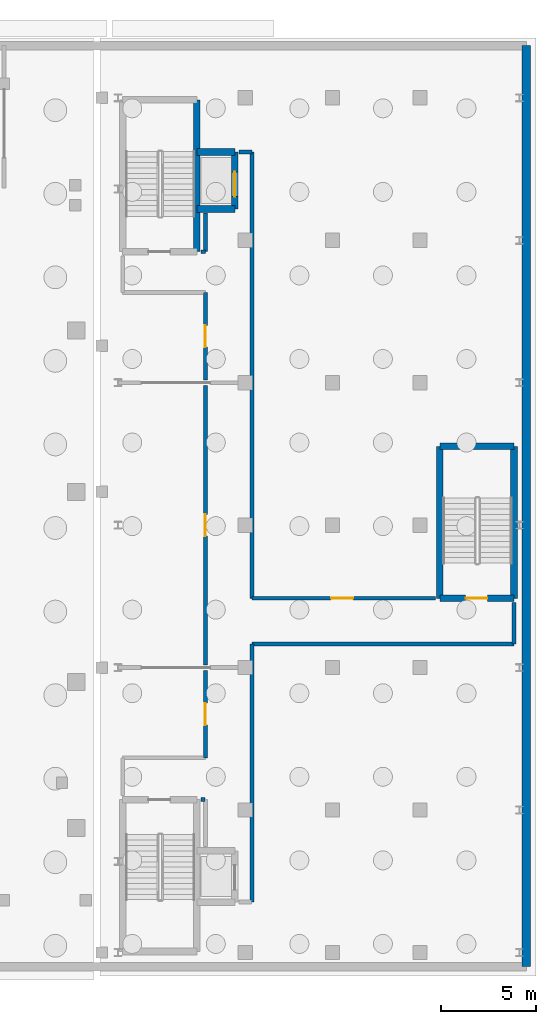
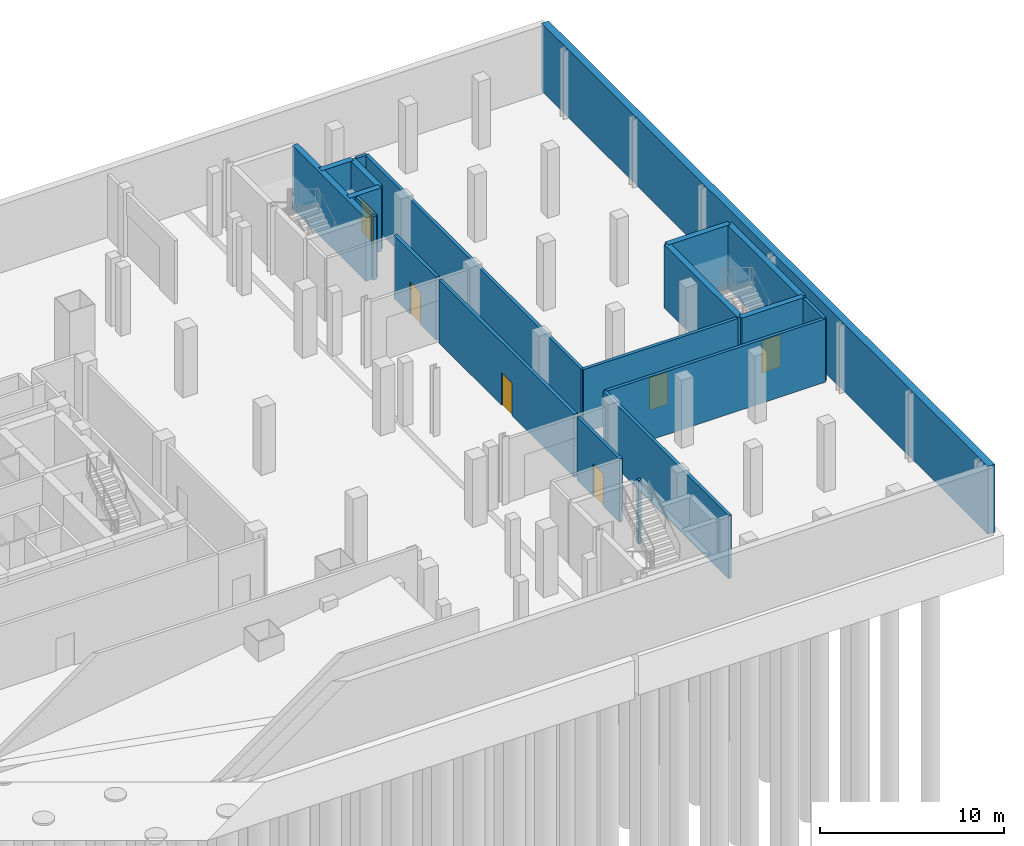
# One storey, part 11 of 15: 21 walls, 6 doors, 6 openings.
"""IFC4 building model written with IfcOpenShell, lengths in metres."""

from ifc_helpers import new_model, si_unit, direction, frame, frame_2d, origin, place, context, subcontext, project, spatial, rectangle, extrude, material, layer, layer_set, type_object, element, fill, save


model = new_model("IFC4")

# Units and contexts
model_context = context("Model", 3, precision=1e-05, world=origin(), true_north=direction((0.0, 1.0)))
body_context = subcontext(model_context, "Body", "Model", "MODEL_VIEW")
ifc_project = project(units=[si_unit("LENGTHUNIT", "METRE"), si_unit("AREAUNIT", "SQUARE_METRE"), si_unit("VOLUMEUNIT", "CUBIC_METRE"), si_unit("PLANEANGLEUNIT", "RADIAN"), si_unit("MASSUNIT", "GRAM", prefix="KILO")], contexts=[model_context])

# Site, building, storey
site_placement = place(None, origin())
site = spatial("IfcSite", under=ifc_project, at=site_placement, CompositionType="ELEMENT")
building_placement = place(site_placement, origin())
building = spatial("IfcBuilding", under=site, at=building_placement, Name="Mersakhor Tower and Convention Hall", CompositionType="ELEMENT")
storey_placement = place(building_placement, frame((0.0, 0.0, -9.0)))
storey = spatial("IfcBuildingStorey", under=building, at=storey_placement, Name="B02", CompositionType="ELEMENT", Elevation=-9.0)

# Walls
ifc_material_1 = material(Name="Acoustic concrete blockwork and gypsum board", Category="masonry")
ifc_layer_1 = layer(ifc_material_1, 0.199951171875)
ifc_layer_set_1 = layer_set([ifc_layer_1], Name="Acoustic concrete blockwork and gypsum board")
wall_type_1 = type_object("IfcWallType", Name="WL-PRT-200", PredefinedType="PARTITIONING", material=ifc_layer_set_1)
wall_1_placement = place(storey_placement, frame((59.875, 40.14990234375, 0.0), z_axis=(0.0, 0.0, 1.0), x_axis=(1.0, 0.0, 0.0)))
element("IfcWall", 1, at=wall_1_placement, inside=storey, type_object=wall_type_1, Name="B02 Interior Partition Wall P-037", PredefinedType="PARTITIONING", context=body_context, shape_type="SweptSolid", body=[
    extrude(rectangle(XDim=0.22509765625, YDim=0.199951171875, at=frame_2d((0.112548828125, 0.0))), origin(), (0.0, 0.0, 1.0), 4.199951171875),
])
wall_2_placement = place(storey_placement, frame((60.10009765625, 40.14990234375, 0.0), z_axis=(0.0, 0.0, 1.0), x_axis=(0.0, 1.0, 0.0)))
element("IfcWall", 2, at=wall_2_placement, inside=storey, type_object=wall_type_1, Name="B02 Interior Partition Wall P-038", PredefinedType="PARTITIONING", context=body_context, shape_type="SweptSolid", body=[
    extrude(rectangle(XDim=2.025146484375, YDim=0.199951171875, at=frame_2d((1.0126953125, 0.0))), origin(), (0.0, 0.0, 1.0), 4.199951171875),
])
wall_3_placement = place(storey_placement, frame((61.875, 45.39990234375, 0.0), z_axis=(0.0, 0.0, 1.0), x_axis=(1.0, 0.0, 0.0)))
element("IfcWall", 3, at=wall_3_placement, inside=storey, type_object=wall_type_1, Name="B02 Interior Partition Wall P-039", PredefinedType="PARTITIONING", context=body_context, shape_type="SweptSolid", body=[
    extrude(rectangle(XDim=0.675048828125, YDim=0.199951171875, at=frame_2d((0.33740234375, 0.0))), origin(), (0.0, 0.0, 1.0), 4.199951171875),
])
wall_4_placement = place(storey_placement, frame((62.550048828125, 45.39990234375, 0.0), z_axis=(0.0, 0.0, 1.0), x_axis=(0.0, -1.0, 0.0)))
element("IfcWall", 4, at=wall_4_placement, inside=storey, type_object=wall_type_1, Name="B02 Interior Partition Wall P-040", PredefinedType="PARTITIONING", context=body_context, shape_type="SweptSolid", body=[
    extrude(rectangle(XDim=23.5, YDim=0.199951171875, at=frame_2d((11.75, 0.0))), origin(), (0.0, 0.0, 1.0), 4.199951171875),
])

# Wall, opening, door
wall_5_placement = place(storey_placement, frame((62.550048828125, 21.89990234375, 0.0), z_axis=(0.0, 0.0, 1.0), x_axis=(1.0, 0.0, 0.0)))
wall_5 = element("IfcWall", 5, at=wall_5_placement, inside=storey, type_object=wall_type_1, Name="B02 Interior Partition Wall P-041", PredefinedType="PARTITIONING", context=body_context, shape_type="SweptSolid", body=[
    extrude(rectangle(XDim=9.675048828125, YDim=0.199951171875, at=frame_2d((4.83740234375, 0.0))), origin(), (0.0, 0.0, 1.0), 4.199951171875),
])
opening_1_placement = place(wall_5_placement, frame((4.175048828125, 0.0, 0.0)))
opening_1 = element("IfcOpeningElement", 6, at=opening_1_placement, cuts=wall_5, Name="Opening SD-01", PredefinedType="OPENING", context=body_context, shape_type="SweptSolid", body=[
    extrude(rectangle(XDim=1.14990234375, YDim=2.14990234375, at=frame_2d((0.574951171875, 1.074951171875))), frame((0.0, 0.10986328125, 0.0), z_axis=(0.0, -1.0, 0.0), x_axis=(1.0, 0.0, 0.0)), (0.0, 0.0, 1.0), 0.219970703125),
])
ifc_material_2 = material(Name="Fire-rated hardwood leaf and painted steel frame", Category="steel")
door_type_1 = type_object("IfcDoorType", Name="DR-INT-STAIR-115x215", OperationType="NOTDEFINED", PredefinedType="DOOR", material=ifc_material_2)
door_1_placement = place(opening_1_placement, origin())
door_1 = element("IfcDoor", 7, at=door_1_placement, inside=storey, type_object=door_type_1, Name="B02 Convention Basement Lift and Stair Lobby to Convention Car Parking Bays (22 Bays) Door", OperationType="SINGLE_SWING_RIGHT", OverallHeight=2.14990234375, OverallWidth=1.14990234375, PredefinedType="DOOR", context=body_context, shape_type="SweptSolid", body=[
    extrude(rectangle(XDim=1.14990234375, YDim=2.14990234375, at=frame_2d((0.574951171875, 1.074951171875))), frame((0.0, 0.02490234375, 0.0), z_axis=(0.0, -1.0, 0.0), x_axis=(1.0, 0.0, 0.0)), (0.0, 0.0, 1.0), 0.050048828125),
])
fill(opening_1, door_1)

# Walls
wall_6_placement = place(storey_placement, frame((76.35009765625, 21.675048828125, 0.0), z_axis=(0.0, 0.0, 1.0), x_axis=(0.0, -1.0, 0.0)))
element("IfcWall", 8, at=wall_6_placement, inside=storey, type_object=wall_type_1, Name="B02 Interior Partition Wall P-042", PredefinedType="PARTITIONING", context=body_context, shape_type="SweptSolid", body=[
    extrude(rectangle(XDim=2.175048828125, YDim=0.199951171875, at=frame_2d((1.08740234375, 0.0))), origin(), (0.0, 0.0, 1.0), 4.199951171875),
])
wall_7_placement = place(storey_placement, frame((76.35009765625, 19.5, 0.0), z_axis=(0.0, 0.0, 1.0), x_axis=(-1.0, 0.0, 0.0)))
element("IfcWall", 9, at=wall_7_placement, inside=storey, type_object=wall_type_1, Name="B02 Interior Partition Wall P-043", PredefinedType="PARTITIONING", context=body_context, shape_type="SweptSolid", body=[
    extrude(rectangle(XDim=13.800048828125, YDim=0.199951171875, at=frame_2d((6.89990234375, 0.0))), origin(), (0.0, 0.0, 1.0), 4.199951171875),
])
wall_8_placement = place(storey_placement, frame((62.550048828125, 19.5, 0.0), z_axis=(0.0, 0.0, 1.0), x_axis=(0.0, -1.0, 0.0)))
element("IfcWall", 10, at=wall_8_placement, inside=storey, type_object=wall_type_1, Name="B02 Interior Partition Wall P-044", PredefinedType="PARTITIONING", context=body_context, shape_type="SweptSolid", body=[
    extrude(rectangle(XDim=13.60009765625, YDim=0.199951171875, at=frame_2d((6.800048828125, 0.0))), origin(), (0.0, 0.0, 1.0), 4.199951171875),
])
wall_9_placement = place(storey_placement, frame((60.070068359375, 11.300048828125, 0.0), z_axis=(0.0, 0.0, 1.0), x_axis=(-1.0, 0.0, 0.0)))
element("IfcWall", 11, at=wall_9_placement, inside=storey, type_object=wall_type_1, Name="B02 Interior Partition Wall P-047", PredefinedType="PARTITIONING", context=body_context, shape_type="SweptSolid", body=[
    extrude(rectangle(XDim=0.195068359375, YDim=0.199951171875, at=frame_2d((0.09765625, 0.0))), origin(), (0.0, 0.0, 1.0), 4.199951171875),
])

# Wall, opening, door
wall_10_placement = place(storey_placement, frame((60.10009765625, 13.5, 0.0), z_axis=(0.0, 0.0, 1.0), x_axis=(0.0, 1.0, 0.0)))
wall_10 = element("IfcWall", 12, at=wall_10_placement, inside=storey, type_object=wall_type_1, Name="B02 Interior Partition Wall P-050", PredefinedType="PARTITIONING", context=body_context, shape_type="SweptSolid", body=[
    extrude(rectangle(XDim=4.60009765625, YDim=0.199951171875, at=frame_2d((2.300048828125, 0.0))), origin(), (0.0, 0.0, 1.0), 4.199951171875),
])
opening_2_placement = place(wall_10_placement, frame((1.72509765625, 0.0, 0.0)))
opening_2 = element("IfcOpeningElement", 13, at=opening_2_placement, cuts=wall_10, Name="Opening SD-01", PredefinedType="OPENING", context=body_context, shape_type="SweptSolid", body=[
    extrude(rectangle(XDim=1.14990234375, YDim=2.14990234375, at=frame_2d((0.574951171875, 1.074951171875))), frame((0.0, 0.10986328125, 0.0), z_axis=(0.0, -1.0, 0.0), x_axis=(1.0, 0.0, 0.0)), (0.0, 0.0, 1.0), 0.219970703125),
])
door_2_placement = place(opening_2_placement, origin())
door_2 = element("IfcDoor", 14, at=door_2_placement, inside=storey, type_object=door_type_1, Name="B02 Convention Basement Lift and Stair Lobby to Two-Way Basement Drive Aisle AISLE-CNV-S Door", OperationType="SINGLE_SWING_LEFT", OverallHeight=2.14990234375, OverallWidth=1.14990234375, PredefinedType="DOOR", context=body_context, shape_type="SweptSolid", body=[
    extrude(rectangle(XDim=1.14990234375, YDim=2.14990234375, at=frame_2d((0.574951171875, 1.074951171875))), frame((0.0, 0.02490234375, 0.0), z_axis=(0.0, -1.0, 0.0), x_axis=(1.0, 0.0, 0.0)), (0.0, 0.0, 1.0), 0.050048828125),
])
fill(opening_2, door_2)

wall_11_placement = place(storey_placement, frame((60.10009765625, 18.39990234375, 0.0), z_axis=(0.0, 0.0, 1.0), x_axis=(0.0, 1.0, 0.0)))
wall_11 = element("IfcWall", 15, at=wall_11_placement, inside=storey, type_object=wall_type_1, Name="B02 Interior Partition Wall P-051", PredefinedType="PARTITIONING", context=body_context, shape_type="SweptSolid", body=[
    extrude(rectangle(XDim=14.7001953125, YDim=0.199951171875, at=frame_2d((7.35009765625, 0.0))), origin(), (0.0, 0.0, 1.0), 4.199951171875),
])
opening_3_placement = place(wall_11_placement, frame((6.77490234375, 0.0, 0.0)))
opening_3 = element("IfcOpeningElement", 16, at=opening_3_placement, cuts=wall_11, Name="Opening SD-01", PredefinedType="OPENING", context=body_context, shape_type="SweptSolid", body=[
    extrude(rectangle(XDim=1.14990234375, YDim=2.14990234375, at=frame_2d((0.574951171875, 1.074951171875))), frame((0.0, 0.10986328125, 0.0), z_axis=(0.0, -1.0, 0.0), x_axis=(1.0, 0.0, 0.0)), (0.0, 0.0, 1.0), 0.219970703125),
])
door_3_placement = place(opening_3_placement, origin())
door_3 = element("IfcDoor", 17, at=door_3_placement, inside=storey, type_object=door_type_1, Name="B02 Convention Basement Lift and Stair Lobby to Two-Way Basement Drive Aisle AISLE-CNV-M Door", OperationType="SINGLE_SWING_RIGHT", OverallHeight=2.14990234375, OverallWidth=1.14990234375, PredefinedType="DOOR", context=body_context, shape_type="SweptSolid", body=[
    extrude(rectangle(XDim=1.14990234375, YDim=2.14990234375, at=frame_2d((0.574951171875, 1.074951171875))), frame((0.0, 0.02490234375, 0.0), z_axis=(0.0, -1.0, 0.0), x_axis=(1.0, 0.0, 0.0)), (0.0, 0.0, 1.0), 0.050048828125),
])
fill(opening_3, door_3)

wall_12_placement = place(storey_placement, frame((60.10009765625, 33.39990234375, 0.0), z_axis=(0.0, 0.0, 1.0), x_axis=(0.0, 1.0, 0.0)))
wall_12 = element("IfcWall", 18, at=wall_12_placement, inside=storey, type_object=wall_type_1, Name="B02 Interior Partition Wall P-052", PredefinedType="PARTITIONING", context=body_context, shape_type="SweptSolid", body=[
    extrude(rectangle(XDim=4.60009765625, YDim=0.199951171875, at=frame_2d((2.300048828125, 0.0))), origin(), (0.0, 0.0, 1.0), 4.199951171875),
])
opening_4_placement = place(wall_12_placement, frame((1.72509765625, 0.0, 0.0)))
opening_4 = element("IfcOpeningElement", 19, at=opening_4_placement, cuts=wall_12, Name="Opening SD-01", PredefinedType="OPENING", context=body_context, shape_type="SweptSolid", body=[
    extrude(rectangle(XDim=1.14990234375, YDim=2.14990234375, at=frame_2d((0.574951171875, 1.074951171875))), frame((0.0, 0.10986328125, 0.0), z_axis=(0.0, -1.0, 0.0), x_axis=(1.0, 0.0, 0.0)), (0.0, 0.0, 1.0), 0.219970703125),
])
door_4_placement = place(opening_4_placement, origin())
door_4 = element("IfcDoor", 20, at=door_4_placement, inside=storey, type_object=door_type_1, Name="B02 Convention Basement Lift and Stair Lobby to Two-Way Basement Drive Aisle AISLE-CNV-N Door", OperationType="SINGLE_SWING_LEFT", OverallHeight=2.14990234375, OverallWidth=1.14990234375, PredefinedType="DOOR", context=body_context, shape_type="SweptSolid", body=[
    extrude(rectangle(XDim=1.14990234375, YDim=2.14990234375, at=frame_2d((0.574951171875, 1.074951171875))), frame((0.0, 0.02490234375, 0.0), z_axis=(0.0, -1.0, 0.0), x_axis=(1.0, 0.0, 0.0)), (0.0, 0.0, 1.0), 0.050048828125),
])
fill(opening_4, door_4)

# Wall
ifc_material_3 = material(Name="Concrete C45/55", Category="concrete")
ifc_layer_2 = layer(ifc_material_3, 0.449951171875)
ifc_layer_set_2 = layer_set([ifc_layer_2], Name="Concrete C45/55")
wall_type_2 = type_object("IfcWallType", Name="WL-RET-450", PredefinedType="USERDEFINED", material=ifc_layer_set_2)
wall_13_placement = place(storey_placement, frame((77.0, 2.5, 0.0), z_axis=(0.0, 0.0, 1.0), x_axis=(0.0, 1.0, 0.0)))
element("IfcWall", 21, at=wall_13_placement, inside=storey, type_object=wall_type_2, Name="B02 Perimeter Retaining Wall E", ObjectType="RETAININGWALL", PredefinedType="USERDEFINED", context=body_context, shape_type="SweptSolid", body=[
    extrude(rectangle(XDim=48.5, YDim=0.449951171875, at=frame_2d((24.25, 0.0))), origin(), (0.0, 0.0, 1.0), 4.5),
])

# Wall, opening, door
ifc_material_4 = material(Name="Concrete C50/60", Category="concrete")
ifc_layer_3 = layer(ifc_material_4, 0.35009765625)
ifc_layer_set_3 = layer_set([ifc_layer_3], Name="Concrete C50/60")
wall_type_3 = type_object("IfcWallType", Name="WL-SHR-350", PredefinedType="SHEAR", material=ifc_layer_set_3)
wall_14_placement = place(storey_placement, frame((61.64990234375, 42.39990234375, 0.0), z_axis=(0.0, 0.0, 1.0), x_axis=(0.0, 1.0, 0.0)))
wall_14 = element("IfcWall", 22, at=wall_14_placement, inside=storey, type_object=wall_type_3, Name="B02 CVL2 Shaft Front Wall", PredefinedType="SHEAR", context=body_context, shape_type="SweptSolid", body=[
    extrude(rectangle(XDim=3.0, YDim=0.35009765625, at=frame_2d((1.5, 0.0))), origin(), (0.0, 0.0, 1.0), 4.199951171875),
])
opening_5_placement = place(wall_14_placement, frame((0.64990234375, 0.0, 0.0)))
opening_5 = element("IfcOpeningElement", 23, at=opening_5_placement, cuts=wall_14, Name="Opening LD-CVL2", PredefinedType="OPENING", context=body_context, shape_type="SweptSolid", body=[
    extrude(rectangle(XDim=1.300048828125, YDim=2.199951171875, at=frame_2d((0.64990234375, 1.10009765625))), frame((0.0, 0.18505859375, 0.0), z_axis=(0.0, -1.0, 0.0), x_axis=(1.0, 0.0, 0.0)), (0.0, 0.0, 1.0), 0.3701171875),
])
ifc_material_5 = material(Name="Fire-rated brushed stainless steel sliding landing door", Category="steel")
door_type_2 = type_object("IfcDoorType", Name="DR-LIFT-SLD-130x220", OperationType="NOTDEFINED", PredefinedType="DOOR", material=ifc_material_5)
door_5_placement = place(opening_5_placement, origin())
door_5 = element("IfcDoor", 24, at=door_5_placement, inside=storey, type_object=door_type_2, Name="B02 Convention Lift Landing Door LD-CVL2", OperationType="SLIDING_TO_LEFT", OverallHeight=2.199951171875, OverallWidth=1.300048828125, PredefinedType="DOOR", context=body_context, shape_type="SweptSolid", body=[
    extrude(rectangle(XDim=1.300048828125, YDim=2.199951171875, at=frame_2d((0.64990234375, 1.10009765625))), frame((0.0, 0.02490234375, 0.0), z_axis=(0.0, -1.0, 0.0), x_axis=(1.0, 0.0, 0.0)), (0.0, 0.0, 1.0), 0.050048828125),
])
fill(opening_5, door_5)

# Walls
for number, where, z_axis, x_axis, name in (
    (25, (59.64990234375, 45.39990234375, 0.0), (0.0, 0.0, 1.0), (1.0, 0.0, 0.0), "B02 CVL2 Shaft North Wall"),
    (26, (59.64990234375, 42.39990234375, 0.0), (0.0, 0.0, 1.0), (1.0, 0.0, 0.0), "B02 CVL2 Shaft South Wall"),
):
    element("IfcWall", number, at=place(storey_placement, frame(where, z_axis=z_axis, x_axis=x_axis)), inside=storey, type_object=wall_type_3, Name=name, PredefinedType="SHEAR", context=body_context, shape_type="SweptSolid", body=[
        extrude(rectangle(XDim=2.0, YDim=0.35009765625, at=frame_2d((1.0, 0.0))), origin(), (0.0, 0.0, 1.0), 4.199951171875),
    ])
for number, where, z_axis, x_axis, name in (
    (27, (59.64990234375, 48.14990234375, 0.0), (0.0, 0.0, 1.0), (0.0, -1.0, 0.0), "B02 CHST2 East Shear Wall"),
    (28, (76.35009765625, 29.89990234375, 0.0), (0.0, 0.0, 1.0), (0.0, -1.0, 0.0), "B02 CHST3 East Shear Wall"),
    (29, (72.449951171875, 21.89990234375, 0.0), (0.0, 0.0, 1.0), (0.0, 1.0, 0.0), "B02 CHST3 West Shear Wall"),
):
    element("IfcWall", number, at=place(storey_placement, frame(where, z_axis=z_axis, x_axis=x_axis)), inside=storey, type_object=wall_type_3, Name=name, PredefinedType="SHEAR", context=body_context, shape_type="SweptSolid", body=[
        extrude(rectangle(XDim=8.0, YDim=0.35009765625, at=frame_2d((4.0, 0.0))), origin(), (0.0, 0.0, 1.0), 4.199951171875),
    ])
wall_15_placement = place(storey_placement, frame((72.449951171875, 29.89990234375, 0.0), z_axis=(0.0, 0.0, 1.0), x_axis=(1.0, 0.0, 0.0)))
element("IfcWall", 30, at=wall_15_placement, inside=storey, type_object=wall_type_3, Name="B02 CHST3 North Shear Wall", PredefinedType="SHEAR", context=body_context, shape_type="SweptSolid", body=[
    extrude(rectangle(XDim=3.900146484375, YDim=0.35009765625, at=frame_2d((1.9501953125, 0.0))), origin(), (0.0, 0.0, 1.0), 4.199951171875),
])

# Wall, opening, door
wall_16_placement = place(storey_placement, frame((72.449951171875, 21.89990234375, 0.0), z_axis=(0.0, 0.0, 1.0), x_axis=(1.0, 0.0, 0.0)))
wall_16 = element("IfcWall", 31, at=wall_16_placement, inside=storey, type_object=wall_type_3, Name="B02 CHST3 South Shear Wall", PredefinedType="SHEAR", context=body_context, shape_type="SweptSolid", body=[
    extrude(rectangle(XDim=3.900146484375, YDim=0.35009765625, at=frame_2d((1.9501953125, 0.0))), origin(), (0.0, 0.0, 1.0), 4.199951171875),
])
opening_6_placement = place(wall_16_placement, frame((1.35009765625, 0.0, 0.0)))
opening_6 = element("IfcOpeningElement", 32, at=opening_6_placement, cuts=wall_16, Name="Opening SD-01", PredefinedType="OPENING", context=body_context, shape_type="SweptSolid", body=[
    extrude(rectangle(XDim=1.14990234375, YDim=2.14990234375, at=frame_2d((0.574951171875, 1.074951171875))), frame((0.0, 0.18505859375, 0.0), z_axis=(0.0, -1.0, 0.0), x_axis=(1.0, 0.0, 0.0)), (0.0, 0.0, 1.0), 0.3701171875),
])
door_6_placement = place(opening_6_placement, origin())
door_6 = element("IfcDoor", 33, at=door_6_placement, inside=storey, type_object=door_type_1, Name="B02 Convention Stair CH-ST3 Door", OperationType="SINGLE_SWING_LEFT", OverallHeight=2.14990234375, OverallWidth=1.14990234375, PredefinedType="DOOR", context=body_context, shape_type="SweptSolid", body=[
    extrude(rectangle(XDim=1.14990234375, YDim=2.14990234375, at=frame_2d((0.574951171875, 1.074951171875))), frame((0.0, 0.02490234375, 0.0), z_axis=(0.0, -1.0, 0.0), x_axis=(1.0, 0.0, 0.0)), (0.0, 0.0, 1.0), 0.050048828125),
])
fill(opening_6, door_6)

save(model, "model.ifc")
